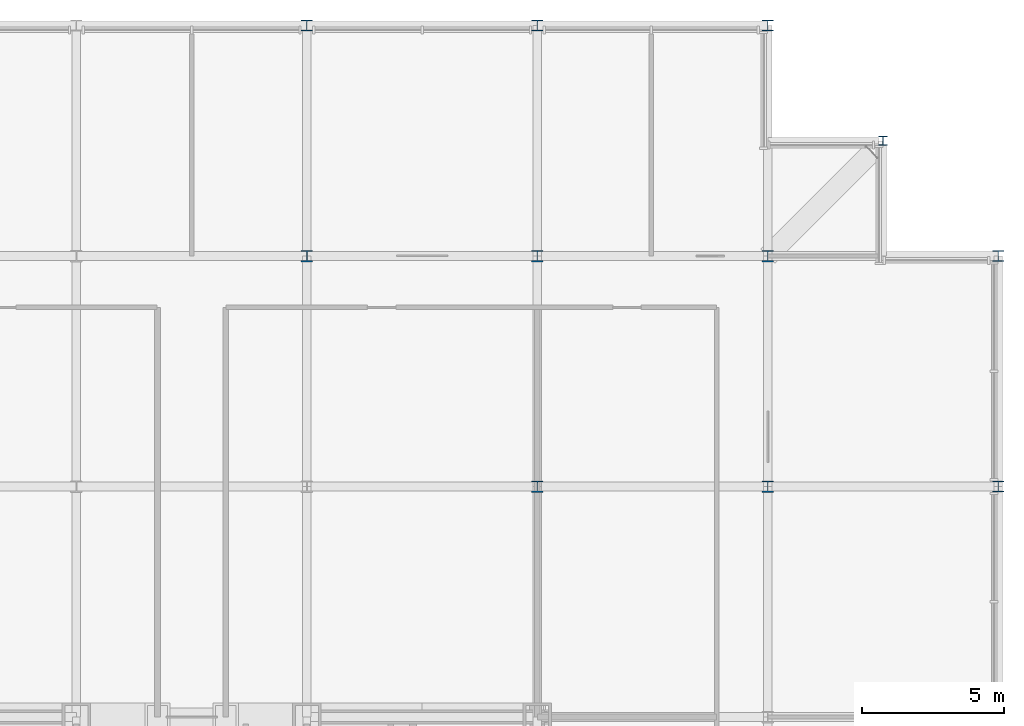
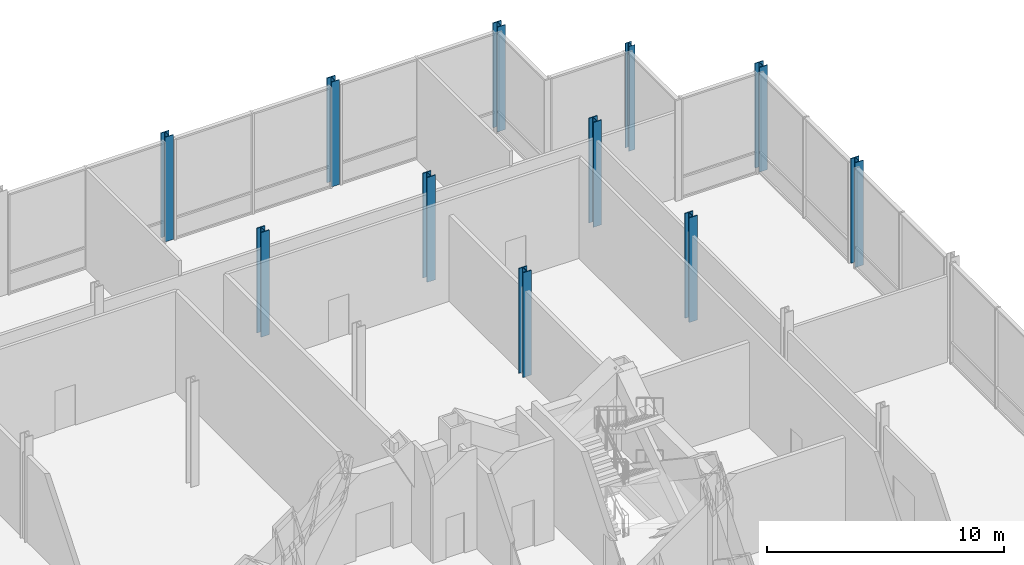
# One storey, part 4 of 21: 11 columns.
"""IFC4 building model written with IfcOpenShell, lengths in metres."""

from ifc_helpers import new_model, si_unit, direction, frame, origin, origin_2d, place, context, subcontext, project, spatial, i_section, extrude, material, material_profile, profile_set, type_object, element, save


model = new_model("IFC4")

# Units and contexts
model_context = context("Model", 3, precision=1e-05, world=origin(), true_north=direction((0.0, 1.0)))
body_context = subcontext(model_context, "Body", "Model", "MODEL_VIEW")
ifc_project = project(units=[si_unit("LENGTHUNIT", "METRE"), si_unit("AREAUNIT", "SQUARE_METRE"), si_unit("VOLUMEUNIT", "CUBIC_METRE"), si_unit("PLANEANGLEUNIT", "RADIAN"), si_unit("MASSUNIT", "GRAM", prefix="KILO")], contexts=[model_context])

# Site, building, storey
site_placement = place(None, origin())
site = spatial("IfcSite", under=ifc_project, at=site_placement, CompositionType="ELEMENT")
building_placement = place(site_placement, origin())
building = spatial("IfcBuilding", under=site, at=building_placement, Name="Kopane Lantern Tower", CompositionType="ELEMENT")
storey_placement = place(building_placement, frame((0.0, 0.0, 298.5)))
storey = spatial("IfcBuildingStorey", under=building, at=storey_placement, Name="L76", CompositionType="ELEMENT", Elevation=298.5)

# Columns
ifc_material_1 = material(Name="Steel S355JR", Category="steel")
ifc_material_profile_1 = material_profile(ifc_material_1, i_section(OverallWidth=0.307373046875, OverallDepth=0.314453125, WebThickness=0.011962890625, FlangeThickness=0.018798828125, FilletRadius=0.01513671875, at=origin_2d()), Name="UC 305x305x118")
ifc_profile_set_1 = profile_set([ifc_material_profile_1], Name="Steel S355JR")
column_type_1 = type_object("IfcColumnType", Name="COLUMN UC 305x305x118", PredefinedType="COLUMN", material=ifc_profile_set_1)
column_placement = place(storey_placement, frame((52.64990234375, 60.75, 0.0), z_axis=(0.0, 0.0, 1.0), x_axis=(1.0, 0.0, 0.0)))
element("IfcColumn", 1, at=column_placement, inside=storey, type_object=column_type_1, Name="Column 52.65/60.75 L76", PredefinedType="COLUMN", context=body_context, shape_type="SweptSolid", body=[
    extrude(i_section(OverallWidth=0.307373046875, OverallDepth=0.314453125, WebThickness=0.011962890625, FlangeThickness=0.018798828125, FilletRadius=0.01513671875, at=origin_2d()), origin(), (0.0, 0.0, 1.0), 5.39990234375),
])
ifc_material_2 = material(Name="Steel S355JR", Category="steel")
ifc_material_profile_2 = material_profile(ifc_material_2, i_section(OverallWidth=0.39892578125, OverallDepth=0.3935546875, WebThickness=0.022705078125, FlangeThickness=0.03662109375, FilletRadius=0.01513671875, at=origin_2d()), Name="UC 356x406x287")
ifc_profile_set_2 = profile_set([ifc_material_profile_2], Name="Steel S355JR")
column_type_2 = type_object("IfcColumnType", Name="COLUMN UC 356x406x287", PredefinedType="COLUMN", material=ifc_profile_set_2)
for number, where, z_axis, x_axis, name in (
    (2, (32.39990234375, 64.800048828125, 0.0), (0.0, 0.0, 1.0), (1.0, 0.0, 0.0), "Column 6/K L76"),
    (3, (40.5, 64.800048828125, 0.0), (0.0, 0.0, 1.0), (1.0, 0.0, 0.0), "Column 7/K L76"),
    (4, (48.60009765625, 64.800048828125, 0.0), (0.0, 0.0, 1.0), (1.0, 0.0, 0.0), "Column 8/K L76"),
    (5, (56.699951171875, 48.60009765625, 0.0), (0.0, 0.0, 1.0), (1.0, 0.0, 0.0), "Column 9/H L76"),
    (6, (56.699951171875, 56.699951171875, 0.0), (0.0, 0.0, 1.0), (1.0, 0.0, 0.0), "Column 9/J L76"),
):
    element("IfcColumn", number, at=place(storey_placement, frame(where, z_axis=z_axis, x_axis=x_axis)), inside=storey, type_object=column_type_2, Name=name, PredefinedType="COLUMN", context=body_context, shape_type="SweptSolid", body=[
        extrude(i_section(OverallWidth=0.39892578125, OverallDepth=0.3935546875, WebThickness=0.022705078125, FlangeThickness=0.03662109375, FilletRadius=0.01513671875, at=origin_2d()), origin(), (0.0, 0.0, 1.0), 5.39990234375),
    ])
ifc_material_3 = material(Name="Steel S355JR", Category="steel")
ifc_material_profile_3 = material_profile(ifc_material_3, i_section(OverallWidth=0.403076171875, OverallDepth=0.406494140625, WebThickness=0.026611328125, FlangeThickness=0.04296875, FilletRadius=0.01513671875, at=origin_2d()), Name="UC 356x406x340")
ifc_profile_set_3 = profile_set([ifc_material_profile_3], Name="Steel S355JR")
column_type_3 = type_object("IfcColumnType", Name="COLUMN UC 356x406x340", PredefinedType="COLUMN", material=ifc_profile_set_3)
for number, where, z_axis, x_axis, name in (
    (7, (32.39990234375, 56.699951171875, 0.0), (0.0, 0.0, 1.0), (1.0, 0.0, 0.0), "Column 6/J L76"),
    (8, (40.5, 48.60009765625, 0.0), (0.0, 0.0, 1.0), (1.0, 0.0, 0.0), "Column 7/H L76"),
    (9, (40.5, 56.699951171875, 0.0), (0.0, 0.0, 1.0), (1.0, 0.0, 0.0), "Column 7/J L76"),
    (10, (48.60009765625, 48.60009765625, 0.0), (0.0, 0.0, 1.0), (1.0, 0.0, 0.0), "Column 8/H L76"),
    (11, (48.60009765625, 56.699951171875, 0.0), (0.0, 0.0, 1.0), (1.0, 0.0, 0.0), "Column 8/J L76"),
):
    element("IfcColumn", number, at=place(storey_placement, frame(where, z_axis=z_axis, x_axis=x_axis)), inside=storey, type_object=column_type_3, Name=name, PredefinedType="COLUMN", context=body_context, shape_type="SweptSolid", body=[
        extrude(i_section(OverallWidth=0.403076171875, OverallDepth=0.406494140625, WebThickness=0.026611328125, FlangeThickness=0.04296875, FilletRadius=0.01513671875, at=origin_2d()), origin(), (0.0, 0.0, 1.0), 5.39990234375),
    ])

save(model, "model.ifc")
